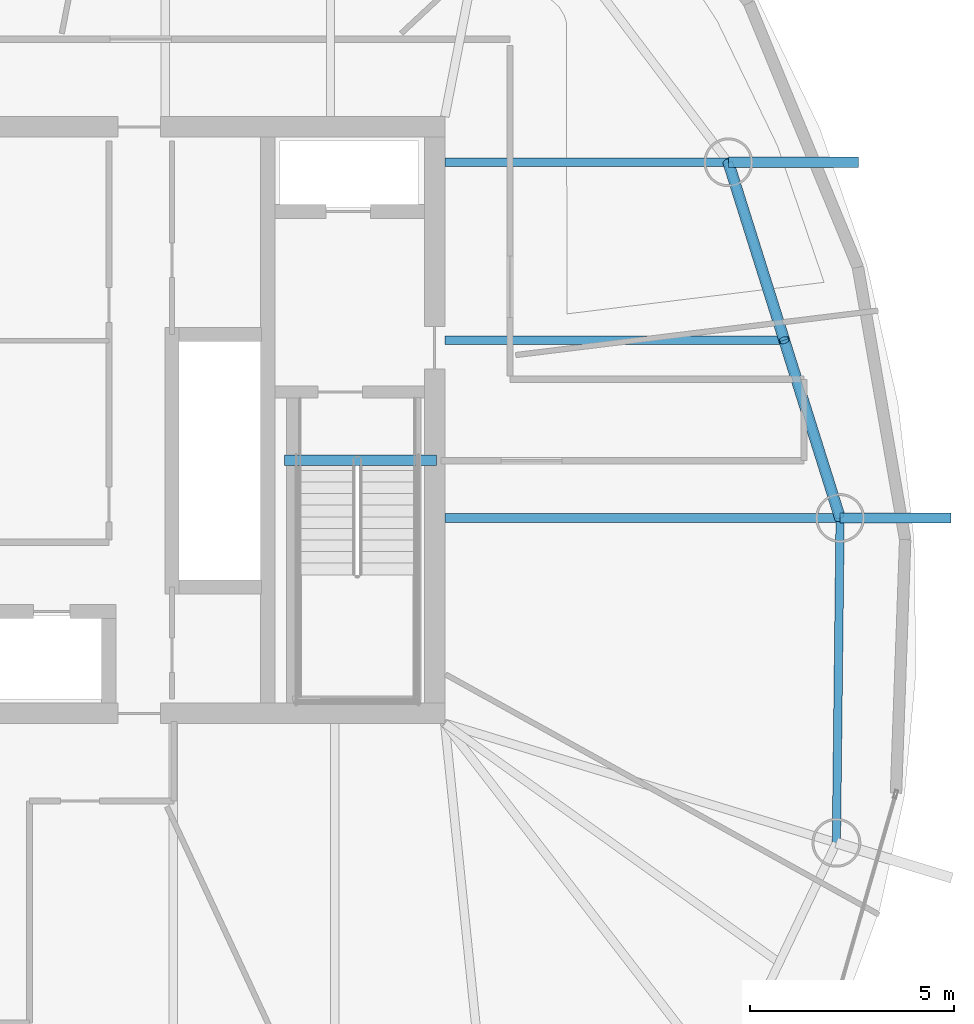
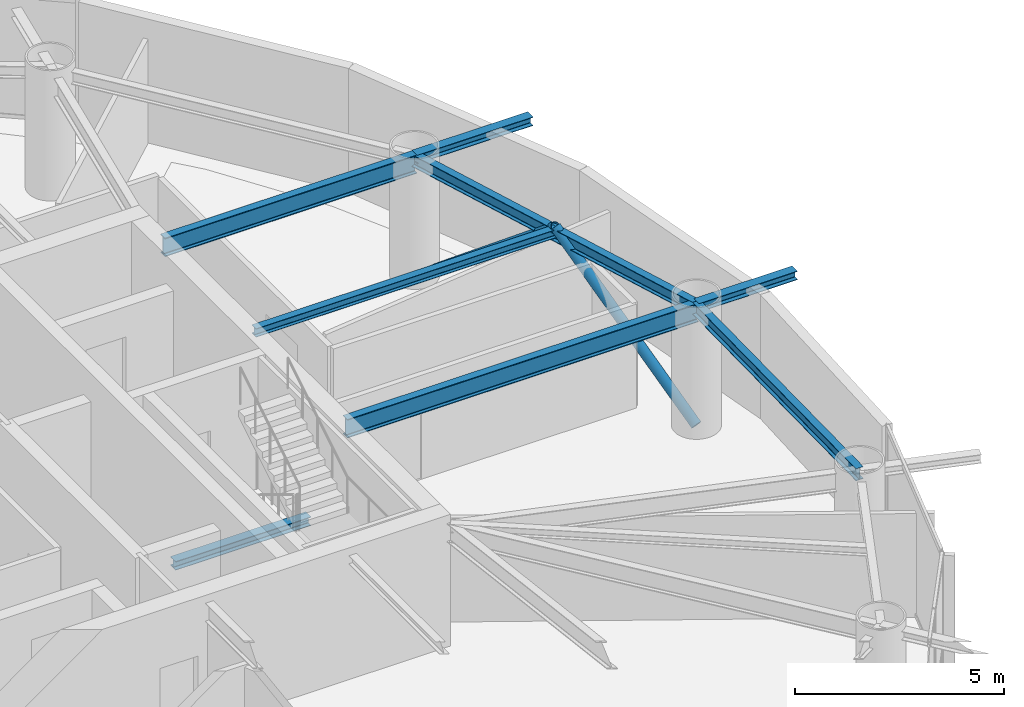
# One storey, part 8 of 22: 8 beams, 2 members.
"""IFC4 building model written with IfcOpenShell, lengths in metres."""

import ifcopenshell
import ifcopenshell.guid

model = None  # the IFC model being written
_history = None  # IfcOwnerHistory: only IFC2X3 demands one
_inside = {}  # id of a spatial element -> (the spatial element, [elements in it])
_under = {}  # id of a project, library or spatial element -> (it, [spatial elements below it])
_declared = {}  # id of a project -> (the project, [libraries it declares])
_typed = {}  # id of a type object -> (the type object, [elements of that type])
_made_of = {}  # id of a material, layer set ... -> (it, [elements and type objects made of it])


def new_model(schema):
    """Start an empty IFC model of exactly this schema.

    Asked for "IFC4X3", IfcOpenShell would pick the latest addendum, in which some entities
    have other attributes; the version numbers below select the first issue.
    IFC2X3 requires an IfcOwnerHistory on every rooted entity: one is made here for all.
    """
    global model, _history
    if schema == "IFC4X3":
        model = ifcopenshell.file(schema_version=(4, 3, 0, 0))
    else:
        model = ifcopenshell.file(schema=schema)
    _inside.clear()
    _under.clear()
    _declared.clear()
    _typed.clear()
    _made_of.clear()
    _history = None
    if model.schema == "IFC2X3":
        org = make("IfcOrganization", Name="unknown")
        user = make(
            "IfcPersonAndOrganization",
            ThePerson=make("IfcPerson", FamilyName="unknown"),
            TheOrganization=org,
        )
        app = make(
            "IfcApplication",
            ApplicationDeveloper=org,
            Version="unknown",
            ApplicationFullName="unknown",
            ApplicationIdentifier="unknown",
        )
        _history = make(
            "IfcOwnerHistory",
            OwningUser=user,
            OwningApplication=app,
            ChangeAction="ADDED",
            CreationDate=0,
        )
    return model


def make(cls, **values):
    """One entity of the class cls with the attributes given. An attribute that is None is left unset."""
    return model.create_entity(
        cls, **{name: value for name, value in values.items() if value is not None}
    )


def rooted(cls, **values):
    """An entity with a GlobalId (a new one), such as an element, a storey or a relation."""
    return make(cls, GlobalId=ifcopenshell.guid.new(), OwnerHistory=_history, **values)


def si_unit(unit_type, name, prefix=None):
    """IfcSIUnit, for example si_unit("LENGTHUNIT", "METRE", prefix="MILLI")."""
    return make("IfcSIUnit", UnitType=unit_type, Prefix=prefix, Name=name)


def assignment(units):
    """IfcUnitAssignment: the units of a project."""
    return None if units is None else make("IfcUnitAssignment", Units=units)


def point(xyz):
    """IfcCartesianPoint."""
    return None if xyz is None else make("IfcCartesianPoint", Coordinates=xyz)


def direction(xyz):
    """IfcDirection."""
    return None if xyz is None else make("IfcDirection", DirectionRatios=xyz)


def frame(location, z_axis=None, x_axis=None):
    """IfcAxis2Placement3D, a coordinate frame: its origin and axes. An axis left out is left unset."""
    return make(
        "IfcAxis2Placement3D",
        Location=point(location),
        Axis=direction(z_axis),
        RefDirection=direction(x_axis),
    )


def frame_2d(location, x_axis=None):
    """IfcAxis2Placement2D, a coordinate frame in the plane: its origin and x axis."""
    return make(
        "IfcAxis2Placement2D", Location=point(location), RefDirection=direction(x_axis)
    )


def origin():
    """The frame at (0, 0, 0) with its axes left unset."""
    return frame((0.0, 0.0, 0.0))


def origin_2d():
    """The frame at (0, 0) in the plane with its x axis left unset."""
    return frame_2d((0.0, 0.0))


def place(relative_to, where):
    """IfcLocalPlacement: puts the frame where relative to a parent placement (None: the world)."""
    return make(
        "IfcLocalPlacement", PlacementRelTo=relative_to, RelativePlacement=where
    )


def context(
    kind, dimensions, precision=None, world=None, true_north=None, identifier=None
):
    """IfcGeometricRepresentationContext, for example the 3D "Model" context."""
    return make(
        "IfcGeometricRepresentationContext",
        ContextIdentifier=identifier,
        ContextType=kind,
        CoordinateSpaceDimension=dimensions,
        Precision=precision,
        WorldCoordinateSystem=world,
        TrueNorth=true_north,
    )


def subcontext(parent, identifier, kind, view, scale=None):
    """IfcGeometricRepresentationSubContext, for example "Body" below "Model"."""
    return make(
        "IfcGeometricRepresentationSubContext",
        ContextIdentifier=identifier,
        ContextType=kind,
        ParentContext=parent,
        TargetScale=scale,
        TargetView=view,
    )


def project(units=None, contexts=None):
    """IfcProject with its units and contexts."""
    return rooted(
        "IfcProject",
        Name="project",
        RepresentationContexts=contexts,
        UnitsInContext=assignment(units),
    )


def spatial(cls, under=None, at=None, **own):
    """A site, building, storey or space (cls), placed at a placement, below another one or the project."""
    s = rooted(cls, ObjectPlacement=at, **own)
    if under is not None:
        _under.setdefault(under.id(), (under, []))[1].append(s)
    return s


def profile(cls, at=None, kind="AREA", **sizes):
    """A parametric profile (cls). Its sizes go by their IFC names, for example OverallWidth=200.0."""
    return make(cls, ProfileType=kind, Position=at, **sizes)


def hollow_circle(**sizes):
    """IfcCircleHollowProfileDef."""
    return profile("IfcCircleHollowProfileDef", **sizes)


def i_section(**sizes):
    """IfcIShapeProfileDef."""
    return profile("IfcIShapeProfileDef", **sizes)


def extrude(swept, where, along, depth):
    """IfcExtrudedAreaSolid: the profile swept, set in the frame where, extruded along a direction by depth."""
    return make(
        "IfcExtrudedAreaSolid",
        SweptArea=swept,
        Position=where,
        ExtrudedDirection=direction(along),
        Depth=depth,
    )


def shape(context_of_items, identifier, shape_type, items):
    """IfcShapeRepresentation: the items that make up one representation, for example the "Body"."""
    return make(
        "IfcShapeRepresentation",
        ContextOfItems=context_of_items,
        RepresentationIdentifier=identifier,
        RepresentationType=shape_type,
        Items=items,
    )


def material(Name=None, Category=None):
    """IfcMaterial."""
    return make("IfcMaterial", Name=Name, Category=Category)


def material_profile(
    of_material, cross_section, Name=None, Category=None, Priority=None
):
    """IfcMaterialProfile: a cross section and its material."""
    return make(
        "IfcMaterialProfile",
        Name=Name,
        Material=of_material,
        Profile=cross_section,
        Priority=Priority,
        Category=Category,
    )


def profile_set(profiles, Name=None, composite=None):
    """IfcMaterialProfileSet."""
    return make(
        "IfcMaterialProfileSet",
        Name=Name,
        MaterialProfiles=profiles,
        CompositeProfile=composite,
    )


def made_of(thing, what):
    """Note that an element or type object is made of a material, layer set ...; save() writes the relation."""
    if what is not None:
        _made_of.setdefault(what.id(), (what, []))[1].append(thing)
    return thing


def type_object(cls, material=None, **own):
    """A type object (cls), such as IfcWallType, which elements share."""
    return made_of(rooted(cls, **own), material)


def element(
    cls,
    number,
    at=None,
    inside=None,
    cuts=None,
    type_object=None,
    material=None,
    context=None,
    identifier="Body",
    shape_type=None,
    held_by="IfcProductDefinitionShape",
    body=None,
    shapes=None,
    **own,
):
    """One element of the class cls, such as IfcWall. Its Tag is "e" and its number.

    at: its placement. inside: the storey or other place that contains it. cuts: it is an
    opening in that element (IfcRelVoidsElement). A single representation is given by context,
    identifier, shape_type and body (its items); several are given by shapes. held_by: the class
    of the entity that holds the representations. save() writes the other relations.
    """
    e = rooted(cls, Tag="e%d" % number, ObjectPlacement=at, **own)
    if body is not None:
        shapes = [shape(context, identifier, shape_type, body)]
    if shapes is not None:
        e.Representation = make(held_by, Representations=shapes)
    if inside is not None:
        _inside.setdefault(inside.id(), (inside, []))[1].append(e)
    if cuts is not None:
        rooted(
            "IfcRelVoidsElement", RelatingBuildingElement=cuts, RelatedOpeningElement=e
        )
    if type_object is not None:
        _typed.setdefault(type_object.id(), (type_object, []))[1].append(e)
    return made_of(e, material)


def aggregate(whole, parts):
    """IfcRelAggregates: a whole, such as a stair, and the parts it consists of."""
    return rooted("IfcRelAggregates", RelatingObject=whole, RelatedObjects=parts)


def save(model, path):
    """Write the relations noted so far, then the file.

    IfcRelAggregates (storeys below a building ...), IfcRelContainedInSpatialStructure (elements
    in a storey), IfcRelDefinesByType, IfcRelAssociatesMaterial and IfcRelDeclares: one each for
    every whole, place, type object, material and project.
    """
    for whole, parts in _under.values():
        aggregate(whole, parts)
    for where, things in _inside.values():
        rooted(
            "IfcRelContainedInSpatialStructure",
            RelatedElements=things,
            RelatingStructure=where,
        )
    for kind, things in _typed.values():
        rooted("IfcRelDefinesByType", RelatedObjects=things, RelatingType=kind)
    for what, things in _made_of.values():
        rooted("IfcRelAssociatesMaterial", RelatedObjects=things, RelatingMaterial=what)
    for by, libraries in _declared.values():
        rooted("IfcRelDeclares", RelatingContext=by, RelatedDefinitions=libraries)
    model.write(path)


model = new_model("IFC4")

# Units and contexts
model_context = context("Model", 3, precision=1e-05, world=origin(), true_north=direction((0.0, 1.0)))
body_context = subcontext(model_context, "Body", "Model", "MODEL_VIEW")
ifc_project = project(units=[si_unit("LENGTHUNIT", "METRE"), si_unit("AREAUNIT", "SQUARE_METRE"), si_unit("VOLUMEUNIT", "CUBIC_METRE"), si_unit("PLANEANGLEUNIT", "RADIAN"), si_unit("MASSUNIT", "GRAM", prefix="KILO")], contexts=[model_context])

# Site, building, storey
site_placement = place(None, origin())
site = spatial("IfcSite", under=ifc_project, at=site_placement, CompositionType="ELEMENT")
building_placement = place(site_placement, origin())
building = spatial("IfcBuilding", under=site, at=building_placement, Name="Bramvorn Convention Spire", CompositionType="ELEMENT")
storey_placement = place(building_placement, frame((0.0, 0.0, 213.550048828125)))
storey = spatial("IfcBuildingStorey", under=building, at=storey_placement, Name="L54", CompositionType="ELEMENT", Elevation=213.550048828125)

# Beams
ifc_material = material(Name="Steel CSA G40.21 Grade 350 (350W)", Category="steel")
ifc_material_profile_1 = material_profile(ifc_material, i_section(OverallWidth=0.201904296875, OverallDepth=0.2470703125, WebThickness=0.00732421875, FlangeThickness=0.010986328125, FilletRadius=0.011962890625, at=origin_2d()))
ifc_profile_set_1 = profile_set([ifc_material_profile_1], Name="Steel CSA G40.21 Grade 350 (350W) - W250X49")
beam_type_1 = type_object("IfcBeamType", Name="BM-W250X49", PredefinedType="JOIST", material=ifc_profile_set_1)
beam_1_placement = place(storey_placement, frame((49.25, 27.960205078125, 3.496337890625), z_axis=(1.0, 0.0, 0.0), x_axis=(0.0, 1.0, 0.0)))
element("IfcBeam", 1, at=beam_1_placement, inside=storey, type_object=beam_type_1, Name="L54 composite floor joist 03", PredefinedType="JOIST", context=body_context, shape_type="SweptSolid", body=[
    extrude(i_section(OverallWidth=0.201904296875, OverallDepth=0.2470703125, WebThickness=0.00732421875, FlangeThickness=0.010986328125, FilletRadius=0.011962890625, at=origin_2d()), origin(), (0.0, 0.0, 1.0), 8.33251953125),
])
ifc_material_profile_2 = material_profile(ifc_material, i_section(OverallWidth=0.25390625, OverallDepth=0.2529296875, WebThickness=0.008544921875, FlangeThickness=0.01416015625, FilletRadius=0.011962890625, at=origin_2d()))
ifc_profile_set_2 = profile_set([ifc_material_profile_2], Name="Steel CSA G40.21 Grade 350 (350W) - W250X73")
beam_type_2 = type_object("IfcBeamType", Name="BM-W250X73", PredefinedType="BEAM", material=ifc_profile_set_2)
beam_2_placement = place(storey_placement, frame((58.95458984375, 23.593505859375, 3.493408203125), z_axis=(1.0, 0.0, 0.0), x_axis=(0.0, 1.0, 0.0)))
element("IfcBeam", 2, at=beam_2_placement, inside=storey, type_object=beam_type_2, Name="L54 slab-edge cantilever tip beam MC03", PredefinedType="BEAM", context=body_context, shape_type="SweptSolid", body=[
    extrude(i_section(OverallWidth=0.25390625, OverallDepth=0.2529296875, WebThickness=0.008544921875, FlangeThickness=0.01416015625, FilletRadius=0.011962890625, at=origin_2d()), origin(), (0.0, 0.0, 1.0), 2.722412109375),
])
beam_3_placement = place(storey_placement, frame((56.21044921875, 32.327392578125, 3.493408203125), z_axis=(1.0, 0.0, 0.0), x_axis=(0.0, 1.0, 0.0)))
element("IfcBeam", 3, at=beam_3_placement, inside=storey, type_object=beam_type_2, Name="L54 slab-edge cantilever tip beam MC04", PredefinedType="BEAM", context=body_context, shape_type="SweptSolid", body=[
    extrude(i_section(OverallWidth=0.25390625, OverallDepth=0.2529296875, WebThickness=0.008544921875, FlangeThickness=0.01416015625, FilletRadius=0.011962890625, at=origin_2d()), origin(), (0.0, 0.0, 1.0), 3.199951171875),
])
beam_4_placement = place(storey_placement, frame((45.31005859375, 25.010009765625, -0.12646484375), z_axis=(1.0, 0.0, 0.0), x_axis=(0.0, 1.0, 0.0)))
element("IfcBeam", 4, at=beam_4_placement, inside=storey, type_object=beam_type_2, Name="L54 ST2 stair arrival header beam", PredefinedType="BEAM", context=body_context, shape_type="SweptSolid", body=[
    extrude(i_section(OverallWidth=0.25390625, OverallDepth=0.2529296875, WebThickness=0.008544921875, FlangeThickness=0.01416015625, FilletRadius=0.011962890625, at=origin_2d()), origin(), (0.0, 0.0, 1.0), 3.739990234375),
])
ifc_material_profile_3 = material_profile(ifc_material, i_section(OverallWidth=0.205078125, OverallDepth=0.35400390625, WebThickness=0.009521484375, FlangeThickness=0.016845703125, FilletRadius=0.014892578125, at=origin_2d()))
ifc_profile_set_3 = profile_set([ifc_material_profile_3], Name="Steel CSA G40.21 Grade 350 (350W) - W360X79")
beam_type_3 = type_object("IfcBeamType", Name="BM-W360X79", PredefinedType="JOIST", material=ifc_profile_set_3)
beam_5_placement = place(storey_placement, frame((58.863037109375, 15.619384765625, 3.44287109375), z_axis=(0.011480475367, 0.999934097171, 0.0), x_axis=(-0.999934097171, 0.011480475367, 0.0)))
element("IfcBeam", 5, at=beam_5_placement, inside=storey, type_object=beam_type_3, Name="L54 mega-column ring beam 02", PredefinedType="JOIST", context=body_context, shape_type="SweptSolid", body=[
    extrude(i_section(OverallWidth=0.205078125, OverallDepth=0.35400390625, WebThickness=0.009521484375, FlangeThickness=0.016845703125, FilletRadius=0.014892578125, at=origin_2d()), origin(), (0.0, 0.0, 1.0), 7.974609375),
])
beam_6_placement = place(storey_placement, frame((58.95458984375, 23.593505859375, 3.44287109375), z_axis=(-0.299747542929, 0.954018558786, 0.0), x_axis=(-0.954018558786, -0.299747542929, 0.0)))
element("IfcBeam", 6, at=beam_6_placement, inside=storey, type_object=beam_type_3, Name="L54 mega-column ring beam 03", PredefinedType="JOIST", context=body_context, shape_type="SweptSolid", body=[
    extrude(i_section(OverallWidth=0.205078125, OverallDepth=0.35400390625, WebThickness=0.009521484375, FlangeThickness=0.016845703125, FilletRadius=0.014892578125, at=origin_2d()), origin(), (0.0, 0.0, 1.0), 9.15478515625),
])
ifc_material_profile_4 = material_profile(ifc_material, i_section(OverallWidth=0.2119140625, OverallDepth=0.5439453125, WebThickness=0.01318359375, FlangeThickness=0.021240234375, FilletRadius=0.01904296875, at=origin_2d()))
ifc_profile_set_4 = profile_set([ifc_material_profile_4], Name="Steel CSA G40.21 Grade 350 (350W) - W530X123")
beam_type_4 = type_object("IfcBeamType", Name="BM-W530X123", PredefinedType="BEAM", material=ifc_profile_set_4)
beam_7_placement = place(storey_placement, frame((49.25, 23.593505859375, 3.347900390625), z_axis=(1.0, 0.0, 0.0), x_axis=(0.0, 1.0, 0.0)))
element("IfcBeam", 7, at=beam_7_placement, inside=storey, type_object=beam_type_4, Name="L54 radial floor girder MC03", PredefinedType="BEAM", context=body_context, shape_type="SweptSolid", body=[
    extrude(i_section(OverallWidth=0.2119140625, OverallDepth=0.5439453125, WebThickness=0.01318359375, FlangeThickness=0.021240234375, FilletRadius=0.01904296875, at=origin_2d()), origin(), (0.0, 0.0, 1.0), 9.70458984375),
])
beam_8_placement = place(storey_placement, frame((49.25, 32.327392578125, 3.347900390625), z_axis=(1.0, 0.0, 0.0), x_axis=(0.0, 1.0, 0.0)))
element("IfcBeam", 8, at=beam_8_placement, inside=storey, type_object=beam_type_4, Name="L54 radial floor girder MC04", PredefinedType="BEAM", context=body_context, shape_type="SweptSolid", body=[
    extrude(i_section(OverallWidth=0.2119140625, OverallDepth=0.5439453125, WebThickness=0.01318359375, FlangeThickness=0.021240234375, FilletRadius=0.01904296875, at=origin_2d()), origin(), (0.0, 0.0, 1.0), 6.96044921875),
])

# Members
ifc_material_profile_5 = material_profile(ifc_material, hollow_circle(Radius=0.136474609375, WallThickness=0.0126953125, at=origin_2d()))
ifc_profile_set_5 = profile_set([ifc_material_profile_5], Name="Steel CSA G40.21 Grade 350 (350W) - CHS273X13")
member_type = type_object("IfcMemberType", Name="MBR-CHS273X13", PredefinedType="BRACE", material=ifc_profile_set_5)
for number, where, z_axis, x_axis, name in (
    (9, (58.95458984375, 23.593505859375, 0.0), (-0.235113702915, 0.748305837019, 0.620290190947), (-0.954018558786, -0.299747542929, 0.0), "L54 perimeter Gothic lancet brace 3A"),
    (10, (56.21044921875, 32.327392578125, 0.0), (0.235113702915, -0.748305837019, 0.620290190947), (0.954018558786, 0.299747542929, 0.0), "L54 perimeter Gothic lancet brace 3B"),
):
    element("IfcMember", number, at=place(storey_placement, frame(where, z_axis=z_axis, x_axis=x_axis)), inside=storey, type_object=member_type, Name=name, PredefinedType="BRACE", context=body_context, shape_type="SweptSolid", body=[
        extrude(hollow_circle(Radius=0.136474609375, WallThickness=0.0126953125, at=origin_2d()), origin(), (0.0, 0.0, 1.0), 5.835693359375),
    ])

save(model, "model.ifc")
